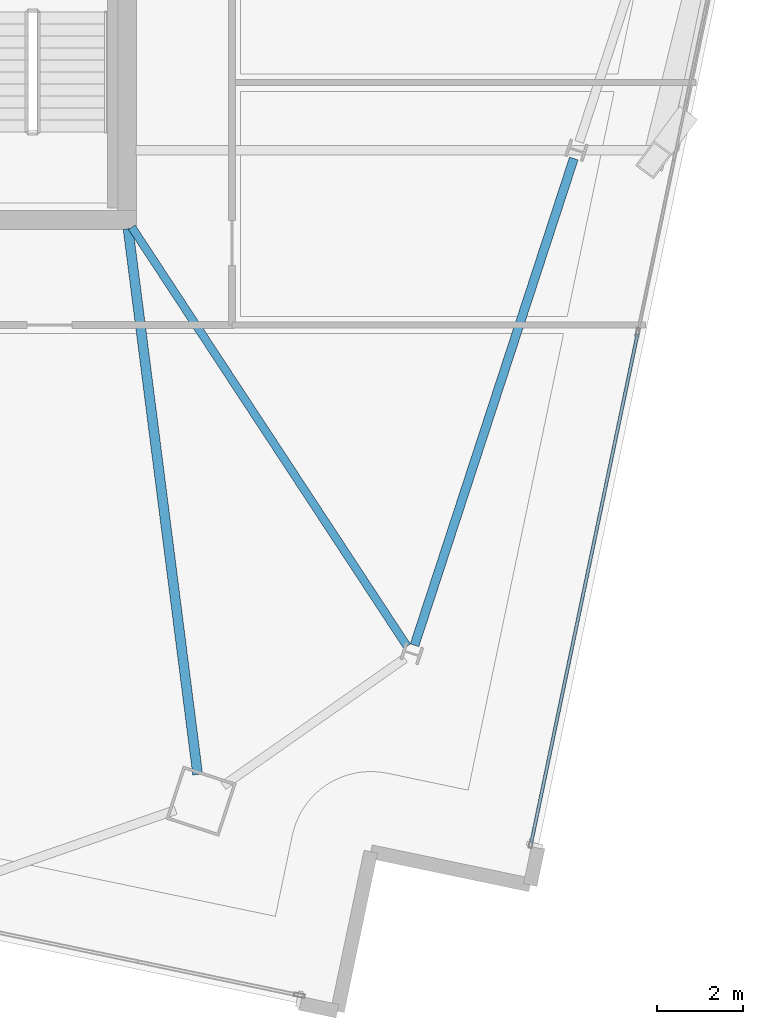
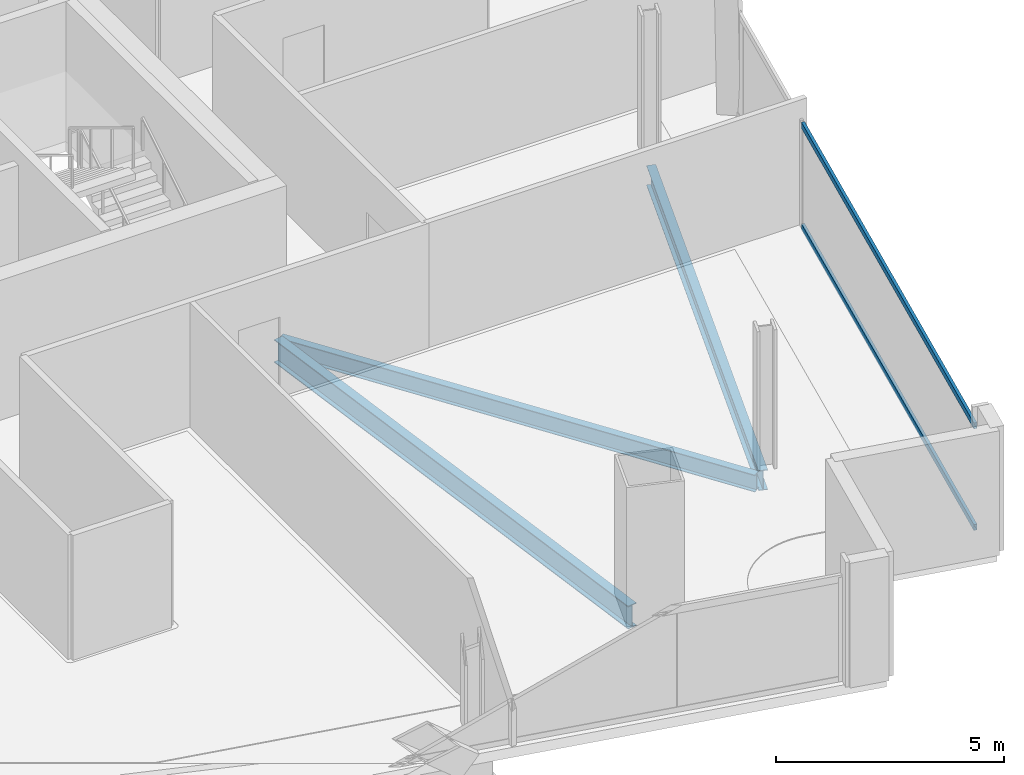
# One storey, part 7 of 24: 3 beams, 2 members, 1 element without a shape of its own.
"""IFC4 building model written with IfcOpenShell, lengths in metres."""

from ifc_helpers import new_model, si_unit, direction, frame, origin, origin_2d, place, context, subcontext, project, spatial, hollow_rectangle, i_section, extrude, material, material_profile, profile_set, type_object, element, aggregate, save


model = new_model("IFC4")

# Units and contexts
model_context = context("Model", 3, precision=1e-05, world=origin(), true_north=direction((0.0, 1.0)))
body_context = subcontext(model_context, "Body", "Model", "MODEL_VIEW")
ifc_project = project(units=[si_unit("LENGTHUNIT", "METRE"), si_unit("AREAUNIT", "SQUARE_METRE"), si_unit("VOLUMEUNIT", "CUBIC_METRE"), si_unit("PLANEANGLEUNIT", "RADIAN"), si_unit("MASSUNIT", "GRAM", prefix="KILO")], contexts=[model_context])

# Site, building, storey
site_placement = place(None, origin())
site = spatial("IfcSite", under=ifc_project, at=site_placement, CompositionType="ELEMENT")
building_placement = place(site_placement, origin())
building = spatial("IfcBuilding", under=site, at=building_placement, Name="Haldenkirk Collegiate Tower", CompositionType="ELEMENT")
storey_placement = place(building_placement, frame((0.0, 0.0, 289.949951171875)))
storey = spatial("IfcBuildingStorey", under=building, at=storey_placement, Name="L73", CompositionType="ELEMENT", Elevation=289.949951171875)

# Beams
ifc_material_1 = material(Name="Steel ASTM A992 Grade 50", Category="steel")
ifc_material_profile_1 = material_profile(ifc_material_1, i_section(OverallWidth=0.22998046875, OverallDepth=0.616943359375, WebThickness=0.01318359375, FlangeThickness=0.022216796875, at=origin_2d()), Name="W24X94")
ifc_profile_set_1 = profile_set([ifc_material_profile_1], Name="Steel ASTM A992 Grade 50")
beam_type_1 = type_object("IfcBeamType", Name="BM-GIRDER-W24X94", PredefinedType="BEAM", material=ifc_profile_set_1)
beam_1_placement = place(storey_placement, frame((46.6484375, 5.0693359375, -0.578369140625), z_axis=(-0.126462976839, 0.991971327957, 0.0), x_axis=(-0.991971327957, -0.126462976839, 0.0)))
element("IfcBeam", 1, at=beam_1_placement, inside=storey, type_object=beam_type_1, Name="L73 primary floor girder 01", PredefinedType="BEAM", context=body_context, shape_type="SweptSolid", body=[
    extrude(i_section(OverallWidth=0.22998046875, OverallDepth=0.616943359375, WebThickness=0.01318359375, FlangeThickness=0.022216796875, at=origin_2d()), origin(), (0.0, 0.0, 1.0), 12.830322265625),
])
ifc_material_profile_2 = material_profile(ifc_material_1, i_section(OverallWidth=0.18994140625, OverallDepth=0.45703125, WebThickness=0.009033203125, FlangeThickness=0.014404296875, at=origin_2d()), Name="W18X50")
ifc_profile_set_2 = profile_set([ifc_material_profile_2], Name="Steel ASTM A992 Grade 50")
beam_type_2 = type_object("IfcBeamType", Name="BM-JOIST-W18X50", PredefinedType="JOIST", material=ifc_profile_set_2)
beam_2_placement = place(storey_placement, frame((51.53173828125, 8.057861328125, -0.49853515625), z_axis=(-0.549082872731, 0.835767909693, 0.0), x_axis=(-0.835767909693, -0.549082872731, 0.0)))
element("IfcBeam", 2, at=beam_2_placement, inside=storey, type_object=beam_type_2, Name="L73 composite floor joist 05", PredefinedType="JOIST", context=body_context, shape_type="SweptSolid", body=[
    extrude(i_section(OverallWidth=0.18994140625, OverallDepth=0.45703125, WebThickness=0.009033203125, FlangeThickness=0.014404296875, at=origin_2d()), origin(), (0.0, 0.0, 1.0), 11.690673828125),
])
ifc_material_profile_3 = material_profile(ifc_material_1, i_section(OverallWidth=0.2099609375, OverallDepth=0.537109375, WebThickness=0.010986328125, FlangeThickness=0.017333984375, at=origin_2d()), Name="W21X68")
ifc_profile_set_3 = profile_set([ifc_material_profile_3], Name="Steel ASTM A992 Grade 50")
beam_type_3 = type_object("IfcBeamType", Name="BM-SPANDREL-W21X68", PredefinedType="SPANDREL", material=ifc_profile_set_3)
beam_3_placement = place(storey_placement, frame((51.7060546875, 8.081298828125, -0.538330078125), z_axis=(0.311010188249, 0.950406577631, 0.0), x_axis=(-0.950406577631, 0.311010188249, 0.0)))
element("IfcBeam", 3, at=beam_3_placement, inside=storey, type_object=beam_type_3, Name="L73 perimeter spandrel beam 02", PredefinedType="SPANDREL", context=body_context, shape_type="SweptSolid", body=[
    extrude(i_section(OverallWidth=0.2099609375, OverallDepth=0.537109375, WebThickness=0.010986328125, FlangeThickness=0.017333984375, at=origin_2d()), origin(), (0.0, 0.0, 1.0), 11.94287109375),
])

# Curtain wall, members
ifc_material_2 = material(Name="Anodised architectural bronze aluminium", Category="aluminium")
curtain_wall_type = type_object("IfcCurtainWallType", Name="CW-SYS2-CONCAVE", PredefinedType="USERDEFINED", material=ifc_material_2)
curtain_wall_placement = place(storey_placement, origin())
curtain_wall = element("IfcCurtainWall", 4, at=curtain_wall_placement, inside=storey, type_object=curtain_wall_type, Name="L73 South concave recessed bronze-anodised curtain wall", ObjectType="UNITISED CURTAIN WALL", PredefinedType="USERDEFINED")
ifc_material_profile_4 = material_profile(ifc_material_2, hollow_rectangle(XDim=0.074951171875, YDim=0.159912109375, WallThickness=0.0048828125, at=origin_2d()), Name="CW-TRN-02")
ifc_profile_set_4 = profile_set([ifc_material_profile_4], Name="Anodised architectural bronze aluminium")
member_type = type_object("IfcMemberType", Name="CW-TRN-02", PredefinedType="USERDEFINED", material=ifc_profile_set_4)
member_1_placement = place(storey_placement, frame((56.907958984375, 15.344970703125, 0.03759765625), z_axis=(-0.204506816567, -0.978865139832, 0.0), x_axis=(0.978865139832, -0.204506816567, 0.0)))
member_1 = element("IfcMember", 5, at=member_1_placement, type_object=member_type, Name="CW-02 transom 3.1", ObjectType="TRANSOM", PredefinedType="USERDEFINED", context=body_context, shape_type="SweptSolid", body=[
    extrude(hollow_rectangle(XDim=0.074951171875, YDim=0.159912109375, WallThickness=0.0048828125, at=origin_2d()), origin(), (0.0, 0.0, 1.0), 12.12060546875),
])
member_2_placement = place(storey_placement, frame((56.907958984375, 15.344970703125, 2.760498046875), z_axis=(-0.204506816567, -0.978865139832, 0.0), x_axis=(0.978865139832, -0.204506816567, 0.0)))
member_2 = element("IfcMember", 6, at=member_2_placement, type_object=member_type, Name="CW-02 transom 3.2", ObjectType="TRANSOM", PredefinedType="USERDEFINED", context=body_context, shape_type="SweptSolid", body=[
    extrude(hollow_rectangle(XDim=0.074951171875, YDim=0.159912109375, WallThickness=0.0048828125, at=origin_2d()), origin(), (0.0, 0.0, 1.0), 12.12060546875),
])
aggregate(curtain_wall, [member_1, member_2])

save(model, "model.ifc")
